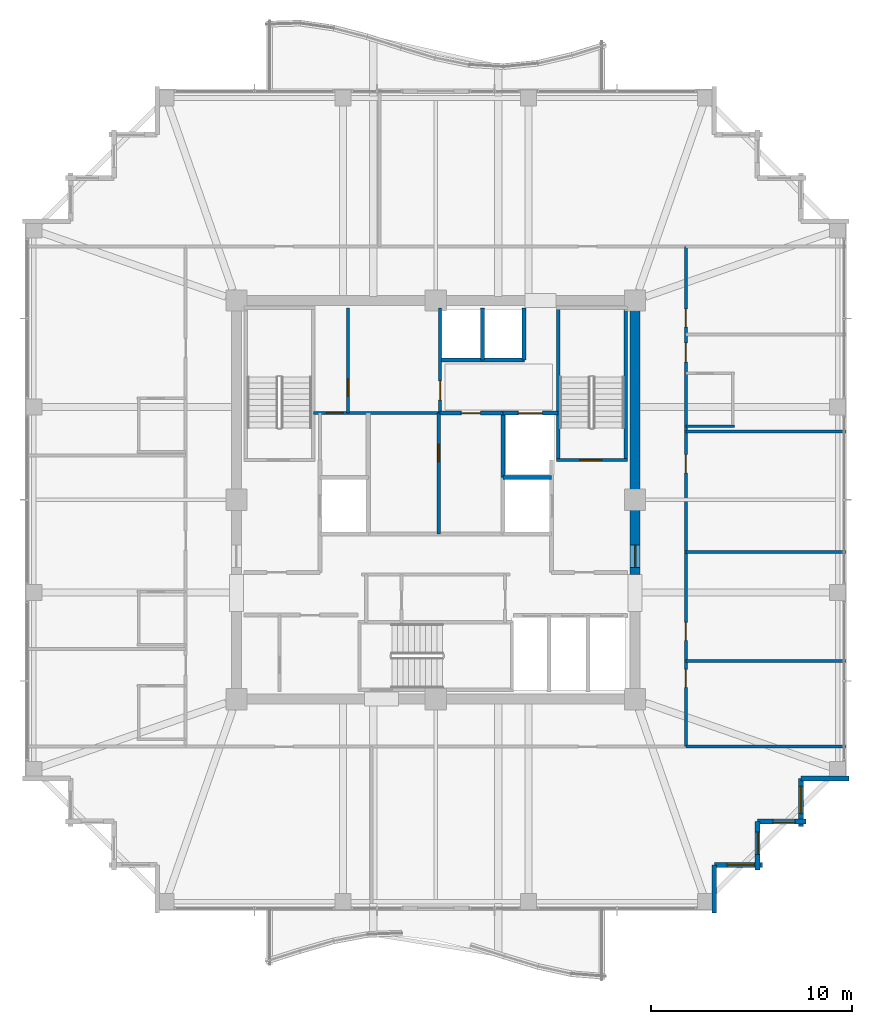
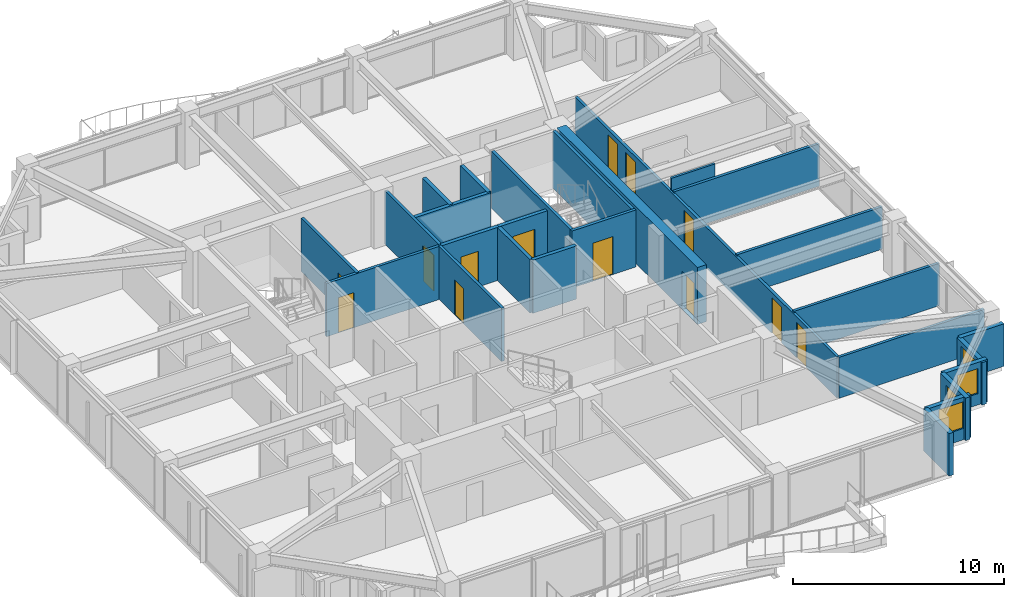
# One storey, part 32 of 36: 27 walls, 13 doors, 4 windows, 17 openings.
"""IFC4 building model written with IfcOpenShell, lengths in metres."""

from ifc_helpers import new_model, si_unit, direction, frame, frame_2d, origin, place, context, subcontext, project, spatial, rectangle, extrude, material, layer, layer_set, type_object, element, fill, save


model = new_model("IFC4")

# Units and contexts
model_context = context("Model", 3, precision=1e-05, world=origin(), true_north=direction((0.0, 1.0)))
body_context = subcontext(model_context, "Body", "Model", "MODEL_VIEW")
ifc_project = project(units=[si_unit("LENGTHUNIT", "METRE"), si_unit("AREAUNIT", "SQUARE_METRE"), si_unit("VOLUMEUNIT", "CUBIC_METRE"), si_unit("PLANEANGLEUNIT", "RADIAN"), si_unit("MASSUNIT", "GRAM", prefix="KILO")], contexts=[model_context])

# Site, building, storey
site_placement = place(None, origin())
site = spatial("IfcSite", under=ifc_project, at=site_placement, CompositionType="ELEMENT")
building_placement = place(site_placement, origin())
building = spatial("IfcBuilding", under=site, at=building_placement, Name="Kolvaren Belvedere", CompositionType="ELEMENT")
storey_placement = place(building_placement, frame((0.0, 0.0, 199.800048828125)))
storey = spatial("IfcBuildingStorey", under=building, at=storey_placement, Name="L58", CompositionType="ELEMENT", Elevation=199.800048828125)

# Wall, opening, door
ifc_material_1 = material(Name="Concrete C50/60", Category="concrete")
ifc_layer_1 = layer(ifc_material_1, 0.5)
ifc_layer_set_1 = layer_set([ifc_layer_1], Name="Concrete C50/60")
wall_type_1 = type_object("IfcWallType", Name="CW-CORE-500", PredefinedType="SHEAR", material=ifc_layer_set_1)
wall_1_placement = place(storey_placement, frame((9.89990234375, -3.699951171875, 0.0), z_axis=(0.0, 0.0, 1.0), x_axis=(0.0, 1.0, 0.0)))
wall_1 = element("IfcWall", 1, at=wall_1_placement, inside=storey, type_object=wall_type_1, Name="L58 East Core Shear Wall 2", PredefinedType="SHEAR", context=body_context, shape_type="SweptSolid", body=[
    extrude(rectangle(XDim=13.349853515625, YDim=0.5, at=frame_2d((6.6748046875, 0.0))), origin(), (0.0, 0.0, 1.0), 3.300048828125),
])
opening_1_placement = place(wall_1_placement, frame((0.35009765625, 0.0, 0.0)))
opening_1 = element("IfcOpeningElement", 2, at=opening_1_placement, cuts=wall_1, Name="Opening D-FD90", PredefinedType="OPENING", context=body_context, shape_type="SweptSolid", body=[
    extrude(rectangle(XDim=1.10009765625, YDim=2.199951171875, at=frame_2d((0.550048828125, 1.10009765625))), frame((0.0, 0.260009765625, 0.0), z_axis=(0.0, -1.0, 0.0), x_axis=(1.0, 0.0, 0.0)), (0.0, 0.0, 1.0), 0.52001953125),
])
ifc_material_2 = material(Name="Painted hollow stainless steel", Category="steel")
door_type_1 = type_object("IfcDoorType", Name="DR-FD90-1100", OperationType="NOTDEFINED", PredefinedType="DOOR", material=ifc_material_2)
door_1_placement = place(opening_1_placement, origin())
door_1 = element("IfcDoor", 3, at=door_1_placement, inside=storey, type_object=door_type_1, Name="L58 East Firefighting Lobby Fire Door", OperationType="SINGLE_SWING_RIGHT", OverallHeight=2.199951171875, OverallWidth=1.10009765625, PredefinedType="DOOR", context=body_context, shape_type="SweptSolid", body=[
    extrude(rectangle(XDim=1.10009765625, YDim=2.199951171875, at=frame_2d((0.550048828125, 1.10009765625))), frame((0.0, 0.02490234375, 0.0), z_axis=(0.0, -1.0, 0.0), x_axis=(1.0, 0.0, 0.0)), (0.0, 0.0, 1.0), 0.050048828125),
])
fill(opening_1, door_1)

ifc_material_3 = material(Name="Concrete C50/60", Category="concrete")
ifc_layer_2 = layer(ifc_material_3, 0.159912109375)
ifc_layer_set_2 = layer_set([ifc_layer_2], Name="Concrete C50/60")
wall_type_2 = type_object("IfcWallType", Name="CW-STAIR-160", PredefinedType="SHEAR", material=ifc_layer_set_2)
wall_2_placement = place(storey_placement, frame((6.0, 1.969970703125, 0.0), z_axis=(0.0, 0.0, 1.0), x_axis=(1.0, 0.0, 0.0)))
wall_2 = element("IfcWall", 4, at=wall_2_placement, inside=storey, type_object=wall_type_2, Name="L58 Stair ST-2 South Shear Wall", PredefinedType="SHEAR", context=body_context, shape_type="SweptSolid", body=[
    extrude(rectangle(XDim=3.52001953125, YDim=0.159912109375, at=frame_2d((1.760009765625, 0.0))), origin(), (0.0, 0.0, 1.0), 3.300048828125),
])
opening_2_placement = place(wall_2_placement, frame((1.14990234375, 0.0, 0.0)))
opening_2 = element("IfcOpeningElement", 5, at=opening_2_placement, cuts=wall_2, Name="Opening D-FD90", PredefinedType="OPENING", context=body_context, shape_type="SweptSolid", body=[
    extrude(rectangle(XDim=1.10009765625, YDim=2.199951171875, at=frame_2d((0.550048828125, 1.10009765625))), frame((0.0, 0.08984375, 0.0), z_axis=(0.0, -1.0, 0.0), x_axis=(1.0, 0.0, 0.0)), (0.0, 0.0, 1.0), 0.179931640625),
])
door_2_placement = place(opening_2_placement, origin())
door_2 = element("IfcDoor", 6, at=door_2_placement, inside=storey, type_object=door_type_1, Name="L58 Stair ST-2 Fire Door", OperationType="SINGLE_SWING_RIGHT", OverallHeight=2.199951171875, OverallWidth=1.10009765625, PredefinedType="DOOR", context=body_context, shape_type="SweptSolid", body=[
    extrude(rectangle(XDim=1.10009765625, YDim=2.199951171875, at=frame_2d((0.550048828125, 1.10009765625))), frame((0.0, 0.02490234375, 0.0), z_axis=(0.0, -1.0, 0.0), x_axis=(1.0, 0.0, 0.0)), (0.0, 0.0, 1.0), 0.050048828125),
])
fill(opening_2, door_2)

# Walls
for number, where, z_axis, x_axis, name in (
    (7, (6.080078125, 1.969970703125, 0.0), (0.0, 0.0, 1.0), (0.0, 1.0, 0.0), "L58 Stair ST-2 West Shear Wall"),
    (8, (9.429931640625, 1.969970703125, 0.0), (0.0, 0.0, 1.0), (0.0, 1.0, 0.0), "L58 Stair ST-2 East Shear Wall"),
):
    element("IfcWall", number, at=place(storey_placement, frame(where, z_axis=z_axis, x_axis=x_axis)), inside=storey, type_object=wall_type_2, Name=name, PredefinedType="SHEAR", context=body_context, shape_type="SweptSolid", body=[
        extrude(rectangle(XDim=7.56005859375, YDim=0.159912109375, at=frame_2d((3.780029296875, 0.0))), origin(), (0.0, 0.0, 1.0), 3.300048828125),
    ])

# Wall, openings, doors
ifc_material_4 = material(Name="Gypsum fire-rated partition assembly", Category="gypsum")
ifc_layer_3 = layer(ifc_material_4, 0.14990234375)
ifc_layer_set_3 = layer_set([ifc_layer_3], Name="Gypsum fire-rated partition assembly")
wall_type_3 = type_object("IfcWallType", Name="WL-CORR-150", PredefinedType="PARTITIONING", material=ifc_layer_set_3)
wall_3_placement = place(storey_placement, frame((12.419921875, -12.260009765625, 0.0), z_axis=(0.0, 0.0, 1.0), x_axis=(0.0, 1.0, 0.0)))
wall_3 = element("IfcWall", 9, at=wall_3_placement, inside=storey, type_object=wall_type_3, Name="L58 East Corridor Wall", PredefinedType="PARTITIONING", context=body_context, shape_type="SweptSolid", body=[
    extrude(rectangle(XDim=24.840087890625, YDim=0.14990234375, at=frame_2d((12.419921875, 0.0))), origin(), (0.0, 0.0, 1.0), 2.368896484375),
])
opening_3_placement = place(wall_3_placement, frame((2.9443359375, 0.0, 0.0)))
opening_3 = element("IfcOpeningElement", 10, at=opening_3_placement, cuts=wall_3, Name="Opening D-INT90", PredefinedType="OPENING", context=body_context, shape_type="SweptSolid", body=[
    extrude(rectangle(XDim=0.89990234375, YDim=2.06005859375, at=frame_2d((0.449951171875, 1.030029296875))), frame((0.0, 0.0849609375, 0.0), z_axis=(0.0, -1.0, 0.0), x_axis=(1.0, 0.0, 0.0)), (0.0, 0.0, 1.0), 0.169921875),
])
opening_4_placement = place(wall_3_placement, frame((5.279296875, 0.0, 0.0)))
opening_4 = element("IfcOpeningElement", 11, at=opening_4_placement, cuts=wall_3, Name="Opening D-INT90", PredefinedType="OPENING", context=body_context, shape_type="SweptSolid", body=[
    extrude(rectangle(XDim=0.89990234375, YDim=2.06005859375, at=frame_2d((0.449951171875, 1.030029296875))), frame((0.0, 0.0849609375, 0.0), z_axis=(0.0, -1.0, 0.0), x_axis=(1.0, 0.0, 0.0)), (0.0, 0.0, 1.0), 0.169921875),
])
opening_5_placement = place(wall_3_placement, frame((13.601806640625, 0.0, 0.0)))
opening_5 = element("IfcOpeningElement", 12, at=opening_5_placement, cuts=wall_3, Name="Opening D-INT90", PredefinedType="OPENING", context=body_context, shape_type="SweptSolid", body=[
    extrude(rectangle(XDim=0.89990234375, YDim=2.06005859375, at=frame_2d((0.449951171875, 1.030029296875))), frame((0.0, 0.0849609375, 0.0), z_axis=(0.0, -1.0, 0.0), x_axis=(1.0, 0.0, 0.0)), (0.0, 0.0, 1.0), 0.169921875),
])
opening_6_placement = place(wall_3_placement, frame((19.09765625, 0.0, 0.0)))
opening_6 = element("IfcOpeningElement", 13, at=opening_6_placement, cuts=wall_3, Name="Opening D-FD60", PredefinedType="OPENING", context=body_context, shape_type="SweptSolid", body=[
    extrude(rectangle(XDim=0.949951171875, YDim=2.06005859375, at=frame_2d((0.47509765625, 1.030029296875))), frame((0.0, 0.0849609375, 0.0), z_axis=(0.0, -1.0, 0.0), x_axis=(1.0, 0.0, 0.0)), (0.0, 0.0, 1.0), 0.169921875),
])
opening_7_placement = place(wall_3_placement, frame((20.835693359375, 0.0, 0.0)))
opening_7 = element("IfcOpeningElement", 14, at=opening_7_placement, cuts=wall_3, Name="Opening D-INT90", PredefinedType="OPENING", context=body_context, shape_type="SweptSolid", body=[
    extrude(rectangle(XDim=0.89990234375, YDim=2.06005859375, at=frame_2d((0.449951171875, 1.030029296875))), frame((0.0, 0.0849609375, 0.0), z_axis=(0.0, -1.0, 0.0), x_axis=(1.0, 0.0, 0.0)), (0.0, 0.0, 1.0), 0.169921875),
])
ifc_material_5 = material(Name="Acoustic white-oak fire door leaf", Category="timber")
door_type_2 = type_object("IfcDoorType", Name="DR-FD60-950", OperationType="NOTDEFINED", PredefinedType="DOOR", material=ifc_material_5)
door_3_placement = place(opening_6_placement, origin())
door_3 = element("IfcDoor", 15, at=door_3_placement, inside=storey, type_object=door_type_2, Name="L58 Botanical Hospitality Suite 5806 Entry Door", OperationType="SINGLE_SWING_RIGHT", OverallHeight=2.06005859375, OverallWidth=0.949951171875, PredefinedType="DOOR", context=body_context, shape_type="SweptSolid", body=[
    extrude(rectangle(XDim=0.949951171875, YDim=2.06005859375, at=frame_2d((0.47509765625, 1.030029296875))), frame((0.0, 0.02490234375, 0.0), z_axis=(0.0, -1.0, 0.0), x_axis=(1.0, 0.0, 0.0)), (0.0, 0.0, 1.0), 0.050048828125),
])
fill(opening_6, door_3)
ifc_material_6 = material(Name="Stained Pacific white oak", Category="timber")
door_type_3 = type_object("IfcDoorType", Name="DR-INT-900", OperationType="NOTDEFINED", PredefinedType="DOOR", material=ifc_material_6)
door_4_placement = place(opening_3_placement, origin())
door_4 = element("IfcDoor", 16, at=door_4_placement, inside=storey, type_object=door_type_3, Name="L58 Guest Tea & Espresso Kitchen 5803 Door", OperationType="SINGLE_SWING_RIGHT", OverallHeight=2.06005859375, OverallWidth=0.89990234375, PredefinedType="DOOR", context=body_context, shape_type="SweptSolid", body=[
    extrude(rectangle(XDim=0.89990234375, YDim=2.06005859375, at=frame_2d((0.449951171875, 1.030029296875))), frame((0.0, 0.02490234375, 0.0), z_axis=(0.0, -1.0, 0.0), x_axis=(1.0, 0.0, 0.0)), (0.0, 0.0, 1.0), 0.050048828125),
])
fill(opening_3, door_4)
door_5_placement = place(opening_4_placement, origin())
door_5 = element("IfcDoor", 17, at=door_5_placement, inside=storey, type_object=door_type_3, Name="L58 Private Hospitality Meeting Room 5804 Door", OperationType="SINGLE_SWING_LEFT", OverallHeight=2.06005859375, OverallWidth=0.89990234375, PredefinedType="DOOR", context=body_context, shape_type="SweptSolid", body=[
    extrude(rectangle(XDim=0.89990234375, YDim=2.06005859375, at=frame_2d((0.449951171875, 1.030029296875))), frame((0.0, 0.02490234375, 0.0), z_axis=(0.0, -1.0, 0.0), x_axis=(1.0, 0.0, 0.0)), (0.0, 0.0, 1.0), 0.050048828125),
])
fill(opening_4, door_5)
door_6_placement = place(opening_5_placement, origin())
door_6 = element("IfcDoor", 18, at=door_6_placement, inside=storey, type_object=door_type_3, Name="L58 Botanical Reading Salon 5805 Door", OperationType="SINGLE_SWING_RIGHT", OverallHeight=2.06005859375, OverallWidth=0.89990234375, PredefinedType="DOOR", context=body_context, shape_type="SweptSolid", body=[
    extrude(rectangle(XDim=0.89990234375, YDim=2.06005859375, at=frame_2d((0.449951171875, 1.030029296875))), frame((0.0, 0.02490234375, 0.0), z_axis=(0.0, -1.0, 0.0), x_axis=(1.0, 0.0, 0.0)), (0.0, 0.0, 1.0), 0.050048828125),
])
fill(opening_5, door_6)
door_7_placement = place(opening_7_placement, origin())
door_7 = element("IfcDoor", 19, at=door_7_placement, inside=storey, type_object=door_type_3, Name="L58 Lounge 5807 Door", OperationType="SINGLE_SWING_LEFT", OverallHeight=2.06005859375, OverallWidth=0.89990234375, PredefinedType="DOOR", context=body_context, shape_type="SweptSolid", body=[
    extrude(rectangle(XDim=0.89990234375, YDim=2.06005859375, at=frame_2d((0.449951171875, 1.030029296875))), frame((0.0, 0.02490234375, 0.0), z_axis=(0.0, -1.0, 0.0), x_axis=(1.0, 0.0, 0.0)), (0.0, 0.0, 1.0), 0.050048828125),
])
fill(opening_7, door_7)

# Wall
ifc_material_7 = material(Name="Insulated pale-metal facade wall assembly", Category="aluminium")
ifc_layer_4 = layer(ifc_material_7, 0.239990234375)
ifc_layer_set_4 = layer_set([ifc_layer_4], Name="Insulated pale-metal facade wall assembly")
wall_type_4 = type_object("IfcWallType", Name="WL-EXT-240", PredefinedType="STANDARD", material=ifc_layer_set_4)
wall_4_placement = place(storey_placement, frame((13.830078125, -18.1298828125, 0.0), z_axis=(0.0, 0.0, 1.0), x_axis=(0.0, -1.0, 0.0)))
element("IfcWall", 20, at=wall_4_placement, inside=storey, type_object=wall_type_4, Name="L58 Serrated Corner Facade Wall 2", PredefinedType="STANDARD", context=body_context, shape_type="SweptSolid", body=[
    extrude(rectangle(XDim=2.39013671875, YDim=0.239990234375, at=frame_2d((1.195068359375, 0.0))), origin(), (0.0, 0.0, 1.0), 2.462890625),
])

# Wall, opening, window
wall_5_placement = place(storey_placement, frame((16.219970703125, -18.1298828125, 0.0), z_axis=(0.0, 0.0, 1.0), x_axis=(-1.0, 0.0, 0.0)))
wall_5 = element("IfcWall", 21, at=wall_5_placement, inside=storey, type_object=wall_type_4, Name="L58 Serrated Corner Facade Wall 3", PredefinedType="STANDARD", context=body_context, shape_type="SweptSolid", body=[
    extrude(rectangle(XDim=2.389892578125, YDim=0.239990234375, at=frame_2d((1.19482421875, 0.0))), origin(), (0.0, 0.0, 1.0), 2.462890625),
])
opening_8_placement = place(wall_5_placement, frame((0.39990234375, 0.0, 0.64990234375)))
opening_8 = element("IfcOpeningElement", 22, at=opening_8_placement, cuts=wall_5, Name="Opening W-1350", PredefinedType="OPENING", context=body_context, shape_type="SweptSolid", body=[
    extrude(rectangle(XDim=1.35009765625, YDim=1.550048828125, at=frame_2d((0.675048828125, 0.77490234375))), frame((0.0, 0.1298828125, 0.0), z_axis=(0.0, -1.0, 0.0), x_axis=(1.0, 0.0, 0.0)), (0.0, 0.0, 1.0), 0.260009765625),
])
ifc_material_8 = material(Name="Low-iron triple insulated glass", Category="glass")
window_type_1 = type_object("IfcWindowType", Name="WN-CORN-1350", PartitioningType="SINGLE_PANEL", PredefinedType="WINDOW", material=ifc_material_8)
window_1_placement = place(opening_8_placement, origin())
window_1 = element("IfcWindow", 23, at=window_1_placement, inside=storey, type_object=window_type_1, Name="L58 Serrated Corner Vision Window 3", OverallHeight=1.550048828125, OverallWidth=1.35009765625, PartitioningType="SINGLE_PANEL", PredefinedType="WINDOW", context=body_context, shape_type="SweptSolid", body=[
    extrude(rectangle(XDim=1.35009765625, YDim=1.550048828125, at=frame_2d((0.675048828125, 0.77490234375))), frame((0.0, 0.030029296875, 0.0), z_axis=(0.0, -1.0, 0.0), x_axis=(1.0, 0.0, 0.0)), (0.0, 0.0, 1.0), 0.06005859375),
])
fill(opening_8, window_1)

wall_6_placement = place(storey_placement, frame((15.97998046875, -15.97998046875, 0.0), z_axis=(0.0, 0.0, 1.0), x_axis=(0.0, -1.0, 0.0)))
wall_6 = element("IfcWall", 24, at=wall_6_placement, inside=storey, type_object=wall_type_4, Name="L58 Serrated Corner Facade Wall 4", PredefinedType="STANDARD", context=body_context, shape_type="SweptSolid", body=[
    extrude(rectangle(XDim=2.39013671875, YDim=0.239990234375, at=frame_2d((1.195068359375, 0.0))), origin(), (0.0, 0.0, 1.0), 2.462890625),
])
opening_9_placement = place(wall_6_placement, frame((0.52490234375, 0.0, 0.64990234375)))
opening_9 = element("IfcOpeningElement", 25, at=opening_9_placement, cuts=wall_6, Name="Opening W-1100", PredefinedType="OPENING", context=body_context, shape_type="SweptSolid", body=[
    extrude(rectangle(XDim=1.10009765625, YDim=1.449951171875, at=frame_2d((0.550048828125, 0.72509765625))), frame((0.0, 0.1298828125, 0.0), z_axis=(0.0, -1.0, 0.0), x_axis=(1.0, 0.0, 0.0)), (0.0, 0.0, 1.0), 0.260009765625),
])
ifc_material_9 = material(Name="Low-iron triple insulated glass", Category="glass")
window_type_2 = type_object("IfcWindowType", Name="WN-CORN-1100", PartitioningType="SINGLE_PANEL", PredefinedType="WINDOW", material=ifc_material_9)
window_2_placement = place(opening_9_placement, origin())
window_2 = element("IfcWindow", 26, at=window_2_placement, inside=storey, type_object=window_type_2, Name="L58 Serrated Corner Vision Window 4", OverallHeight=1.449951171875, OverallWidth=1.10009765625, PartitioningType="SINGLE_PANEL", PredefinedType="WINDOW", context=body_context, shape_type="SweptSolid", body=[
    extrude(rectangle(XDim=1.10009765625, YDim=1.449951171875, at=frame_2d((0.550048828125, 0.72509765625))), frame((0.0, 0.030029296875, 0.0), z_axis=(0.0, -1.0, 0.0), x_axis=(1.0, 0.0, 0.0)), (0.0, 0.0, 1.0), 0.06005859375),
])
fill(opening_9, window_2)

wall_7_placement = place(storey_placement, frame((18.3701171875, -15.97998046875, 0.0), z_axis=(0.0, 0.0, 1.0), x_axis=(-1.0, 0.0, 0.0)))
wall_7 = element("IfcWall", 27, at=wall_7_placement, inside=storey, type_object=wall_type_4, Name="L58 Serrated Corner Facade Wall 5", PredefinedType="STANDARD", context=body_context, shape_type="SweptSolid", body=[
    extrude(rectangle(XDim=2.39013671875, YDim=0.239990234375, at=frame_2d((1.195068359375, 0.0))), origin(), (0.0, 0.0, 1.0), 2.462890625),
])
opening_10_placement = place(wall_7_placement, frame((0.52490234375, 0.0, 0.64990234375)))
opening_10 = element("IfcOpeningElement", 28, at=opening_10_placement, cuts=wall_7, Name="Opening W-1100", PredefinedType="OPENING", context=body_context, shape_type="SweptSolid", body=[
    extrude(rectangle(XDim=1.10009765625, YDim=1.449951171875, at=frame_2d((0.550048828125, 0.72509765625))), frame((0.0, 0.1298828125, 0.0), z_axis=(0.0, -1.0, 0.0), x_axis=(1.0, 0.0, 0.0)), (0.0, 0.0, 1.0), 0.260009765625),
])
window_3_placement = place(opening_10_placement, origin())
window_3 = element("IfcWindow", 29, at=window_3_placement, inside=storey, type_object=window_type_2, Name="L58 Serrated Corner Vision Window 5", OverallHeight=1.449951171875, OverallWidth=1.10009765625, PartitioningType="SINGLE_PANEL", PredefinedType="WINDOW", context=body_context, shape_type="SweptSolid", body=[
    extrude(rectangle(XDim=1.10009765625, YDim=1.449951171875, at=frame_2d((0.550048828125, 0.72509765625))), frame((0.0, 0.030029296875, 0.0), z_axis=(0.0, -1.0, 0.0), x_axis=(1.0, 0.0, 0.0)), (0.0, 0.0, 1.0), 0.06005859375),
])
fill(opening_10, window_3)

wall_8_placement = place(storey_placement, frame((18.1298828125, -13.830078125, 0.0), z_axis=(0.0, 0.0, 1.0), x_axis=(0.0, -1.0, 0.0)))
wall_8 = element("IfcWall", 30, at=wall_8_placement, inside=storey, type_object=wall_type_4, Name="L58 Serrated Corner Facade Wall 6", PredefinedType="STANDARD", context=body_context, shape_type="SweptSolid", body=[
    extrude(rectangle(XDim=2.389892578125, YDim=0.239990234375, at=frame_2d((1.19482421875, 0.0))), origin(), (0.0, 0.0, 1.0), 2.462890625),
])
opening_11_placement = place(wall_8_placement, frame((0.39990234375, 0.0, 0.64990234375)))
opening_11 = element("IfcOpeningElement", 31, at=opening_11_placement, cuts=wall_8, Name="Opening W-1350", PredefinedType="OPENING", context=body_context, shape_type="SweptSolid", body=[
    extrude(rectangle(XDim=1.35009765625, YDim=1.550048828125, at=frame_2d((0.675048828125, 0.77490234375))), frame((0.0, 0.1298828125, 0.0), z_axis=(0.0, -1.0, 0.0), x_axis=(1.0, 0.0, 0.0)), (0.0, 0.0, 1.0), 0.260009765625),
])
window_4_placement = place(opening_11_placement, origin())
window_4 = element("IfcWindow", 32, at=window_4_placement, inside=storey, type_object=window_type_1, Name="L58 Serrated Corner Vision Window 6", OverallHeight=1.550048828125, OverallWidth=1.35009765625, PartitioningType="SINGLE_PANEL", PredefinedType="WINDOW", context=body_context, shape_type="SweptSolid", body=[
    extrude(rectangle(XDim=1.35009765625, YDim=1.550048828125, at=frame_2d((0.675048828125, 0.77490234375))), frame((0.0, 0.030029296875, 0.0), z_axis=(0.0, -1.0, 0.0), x_axis=(1.0, 0.0, 0.0)), (0.0, 0.0, 1.0), 0.06005859375),
])
fill(opening_11, window_4)

# Wall
wall_9_placement = place(storey_placement, frame((20.52001953125, -13.830078125, 0.0), z_axis=(0.0, 0.0, 1.0), x_axis=(-1.0, 0.0, 0.0)))
element("IfcWall", 33, at=wall_9_placement, inside=storey, type_object=wall_type_4, Name="L58 Serrated Corner Facade Wall 7", PredefinedType="STANDARD", context=body_context, shape_type="SweptSolid", body=[
    extrude(rectangle(XDim=2.39013671875, YDim=0.239990234375, at=frame_2d((1.195068359375, 0.0))), origin(), (0.0, 0.0, 1.0), 2.462890625),
])

# Wall, opening, door
ifc_material_10 = material(Name="Gypsum acoustic partition assembly", Category="gypsum")
ifc_layer_5 = layer(ifc_material_10, 0.14990234375)
ifc_layer_set_5 = layer_set([ifc_layer_5], Name="Gypsum acoustic partition assembly")
wall_type_5 = type_object("IfcWallType", Name="WL-PART-150", PredefinedType="PARTITIONING", material=ifc_layer_set_5)
wall_10_placement = place(storey_placement, frame((-6.080078125, 4.300048828125, 0.0), z_axis=(0.0, 0.0, 1.0), x_axis=(1.0, 0.0, 0.0)))
wall_10 = element("IfcWall", 34, at=wall_10_placement, inside=storey, type_object=wall_type_5, Name="L58 Reclaimed Salon South Wall", PredefinedType="PARTITIONING", context=body_context, shape_type="SweptSolid", body=[
    extrude(rectangle(XDim=6.300048828125, YDim=0.14990234375, at=frame_2d((3.14990234375, 0.0))), origin(), (0.0, 0.0, 1.0), 3.079833984375),
])
opening_12_placement = place(wall_10_placement, frame((0.64990234375, 0.0, 0.0)))
opening_12 = element("IfcOpeningElement", 35, at=opening_12_placement, cuts=wall_10, Name="Opening D-INT85", PredefinedType="OPENING", context=body_context, shape_type="SweptSolid", body=[
    extrude(rectangle(XDim=0.85009765625, YDim=2.030029296875, at=frame_2d((0.425048828125, 1.01513671875))), frame((0.0, 0.0849609375, 0.0), z_axis=(0.0, -1.0, 0.0), x_axis=(1.0, 0.0, 0.0)), (0.0, 0.0, 1.0), 0.169921875),
])
ifc_material_11 = material(Name="Stained Pacific white oak", Category="timber")
door_type_4 = type_object("IfcDoorType", Name="DR-INT-850", OperationType="NOTDEFINED", PredefinedType="DOOR", material=ifc_material_11)
door_8_placement = place(opening_12_placement, origin())
door_8 = element("IfcDoor", 36, at=door_8_placement, inside=storey, type_object=door_type_4, Name="L58 NW Core Store Door", OperationType="SINGLE_SWING_RIGHT", OverallHeight=2.030029296875, OverallWidth=0.85009765625, PredefinedType="DOOR", context=body_context, shape_type="SweptSolid", body=[
    extrude(rectangle(XDim=0.85009765625, YDim=2.030029296875, at=frame_2d((0.425048828125, 1.01513671875))), frame((0.0, 0.02490234375, 0.0), z_axis=(0.0, -1.0, 0.0), x_axis=(1.0, 0.0, 0.0)), (0.0, 0.0, 1.0), 0.050048828125),
])
fill(opening_12, door_8)

wall_11_placement = place(storey_placement, frame((0.219970703125, 4.300048828125, 0.0), z_axis=(0.0, 0.0, 1.0), x_axis=(0.0, 1.0, 0.0)))
wall_11 = element("IfcWall", 37, at=wall_11_placement, inside=storey, type_object=wall_type_5, Name="L58 Reclaimed Salon East Wall", PredefinedType="PARTITIONING", context=body_context, shape_type="SweptSolid", body=[
    extrude(rectangle(XDim=5.219970703125, YDim=0.14990234375, at=frame_2d((2.60986328125, 0.0))), origin(), (0.0, 0.0, 1.0), 3.079833984375),
])
opening_13_placement = place(wall_11_placement, frame((0.64990234375, 0.0, 0.0)))
opening_13 = element("IfcOpeningElement", 38, at=opening_13_placement, cuts=wall_11, Name="Opening D-INT95", PredefinedType="OPENING", context=body_context, shape_type="SweptSolid", body=[
    extrude(rectangle(XDim=0.949951171875, YDim=2.06005859375, at=frame_2d((0.47509765625, 1.030029296875))), frame((0.0, 0.0849609375, 0.0), z_axis=(0.0, -1.0, 0.0), x_axis=(1.0, 0.0, 0.0)), (0.0, 0.0, 1.0), 0.169921875),
])
ifc_material_12 = material(Name="Stained Pacific white oak", Category="timber")
door_type_5 = type_object("IfcDoorType", Name="DR-INT-950", OperationType="NOTDEFINED", PredefinedType="DOOR", material=ifc_material_12)
door_9_placement = place(opening_13_placement, origin())
door_9 = element("IfcDoor", 39, at=door_9_placement, inside=storey, type_object=door_type_5, Name="L58 Art Salon Door", OperationType="SINGLE_SWING_LEFT", OverallHeight=2.06005859375, OverallWidth=0.949951171875, PredefinedType="DOOR", context=body_context, shape_type="SweptSolid", body=[
    extrude(rectangle(XDim=0.949951171875, YDim=2.06005859375, at=frame_2d((0.47509765625, 1.030029296875))), frame((0.0, 0.02490234375, 0.0), z_axis=(0.0, -1.0, 0.0), x_axis=(1.0, 0.0, 0.0)), (0.0, 0.0, 1.0), 0.050048828125),
])
fill(opening_13, door_9)

wall_12_placement = place(storey_placement, frame((-4.35009765625, 4.300048828125, 0.0), z_axis=(0.0, 0.0, 1.0), x_axis=(0.0, 1.0, 0.0)))
wall_12 = element("IfcWall", 40, at=wall_12_placement, inside=storey, type_object=wall_type_5, Name="L58 Reclaimed Archive Divider", PredefinedType="PARTITIONING", context=body_context, shape_type="SweptSolid", body=[
    extrude(rectangle(XDim=5.219970703125, YDim=0.14990234375, at=frame_2d((2.60986328125, 0.0))), origin(), (0.0, 0.0, 1.0), 3.079833984375),
])
opening_14_placement = place(wall_12_placement, frame((0.85009765625, 0.0, 0.0)))
opening_14 = element("IfcOpeningElement", 41, at=opening_14_placement, cuts=wall_12, Name="Opening D-INT85", PredefinedType="OPENING", context=body_context, shape_type="SweptSolid", body=[
    extrude(rectangle(XDim=0.85009765625, YDim=2.030029296875, at=frame_2d((0.425048828125, 1.01513671875))), frame((0.0, 0.0849609375, 0.0), z_axis=(0.0, -1.0, 0.0), x_axis=(1.0, 0.0, 0.0)), (0.0, 0.0, 1.0), 0.169921875),
])
door_10_placement = place(opening_14_placement, origin())
door_10 = element("IfcDoor", 42, at=door_10_placement, inside=storey, type_object=door_type_4, Name="L58 Archive Store Door", OperationType="SINGLE_SWING_RIGHT", OverallHeight=2.030029296875, OverallWidth=0.85009765625, PredefinedType="DOOR", context=body_context, shape_type="SweptSolid", body=[
    extrude(rectangle(XDim=0.85009765625, YDim=2.030029296875, at=frame_2d((0.425048828125, 1.01513671875))), frame((0.0, 0.02490234375, 0.0), z_axis=(0.0, -1.0, 0.0), x_axis=(1.0, 0.0, 0.0)), (0.0, 0.0, 1.0), 0.050048828125),
])
fill(opening_14, door_10)

wall_13_placement = place(storey_placement, frame((0.14990234375, -1.699951171875, 0.0), z_axis=(0.0, 0.0, 1.0), x_axis=(0.0, 1.0, 0.0)))
wall_13 = element("IfcWall", 43, at=wall_13_placement, inside=storey, type_object=wall_type_5, Name="L58 Central Core V-Divider", PredefinedType="PARTITIONING", context=body_context, shape_type="SweptSolid", body=[
    extrude(rectangle(XDim=6.0, YDim=0.14990234375, at=frame_2d((3.0, 0.0))), origin(), (0.0, 0.0, 1.0), 3.079833984375),
])
opening_15_placement = place(wall_13_placement, frame((3.60009765625, 0.0, 0.0)))
opening_15 = element("IfcOpeningElement", 44, at=opening_15_placement, cuts=wall_13, Name="Opening D-INT85", PredefinedType="OPENING", context=body_context, shape_type="SweptSolid", body=[
    extrude(rectangle(XDim=0.85009765625, YDim=2.030029296875, at=frame_2d((0.425048828125, 1.01513671875))), frame((0.0, 0.0849609375, 0.0), z_axis=(0.0, -1.0, 0.0), x_axis=(1.0, 0.0, 0.0)), (0.0, 0.0, 1.0), 0.169921875),
])
door_11_placement = place(opening_15_placement, origin())
door_11 = element("IfcDoor", 45, at=door_11_placement, inside=storey, type_object=door_type_4, Name="L58 Central Linen Door", OperationType="SINGLE_SWING_RIGHT", OverallHeight=2.030029296875, OverallWidth=0.85009765625, PredefinedType="DOOR", context=body_context, shape_type="SweptSolid", body=[
    extrude(rectangle(XDim=0.85009765625, YDim=2.030029296875, at=frame_2d((0.425048828125, 1.01513671875))), frame((0.0, 0.02490234375, 0.0), z_axis=(0.0, -1.0, 0.0), x_axis=(1.0, 0.0, 0.0)), (0.0, 0.0, 1.0), 0.050048828125),
])
fill(opening_15, door_11)

# Walls
wall_14_placement = place(storey_placement, frame((12.419921875, -12.260009765625, 0.0), z_axis=(0.0, 0.0, 1.0), x_axis=(1.0, 0.0, 0.0)))
element("IfcWall", 46, at=wall_14_placement, inside=storey, type_object=wall_type_5, Name="L58 Wing Divider PW-L58-QSE", PredefinedType="PARTITIONING", context=body_context, shape_type="SweptSolid", body=[
    extrude(rectangle(XDim=7.9599609375, YDim=0.14990234375, at=frame_2d((3.97998046875, 0.0))), origin(), (0.0, 0.0, 1.0), 2.368896484375),
])
for number, where, z_axis, x_axis, name in (
    (47, (12.419921875, -8.0, 0.0), (0.0, 0.0, 1.0), (1.0, 0.0, 0.0), "L58 East Suite Demising Wall 1"),
    (48, (12.419921875, -2.60009765625, 0.0), (0.0, 0.0, 1.0), (1.0, 0.0, 0.0), "L58 East Suite Demising Wall 2"),
    (49, (12.419921875, 3.39990234375, 0.0), (0.0, 0.0, 1.0), (1.0, 0.0, 0.0), "L58 East Suite Demising Wall 3"),
):
    element("IfcWall", number, at=place(storey_placement, frame(where, z_axis=z_axis, x_axis=x_axis)), inside=storey, type_object=wall_type_5, Name=name, PredefinedType="PARTITIONING", context=body_context, shape_type="SweptSolid", body=[
        extrude(rectangle(XDim=7.9599609375, YDim=0.14990234375, at=frame_2d((3.97998046875, 0.0))), origin(), (0.0, 0.0, 1.0), 2.452880859375),
    ])
ifc_material_13 = material(Name="Concrete C50/60", Category="concrete")
ifc_layer_6 = layer(ifc_material_13, 0.199951171875)
ifc_layer_set_6 = layer_set([ifc_layer_6], Name="Concrete C50/60")
wall_type_6 = type_object("IfcWallType", Name="WL-SHAFT-200", PredefinedType="SOLIDWALL", material=ifc_layer_set_6)
wall_15_placement = place(storey_placement, frame((3.35009765625, 1.10009765625, 0.0), z_axis=(0.0, 0.0, 1.0), x_axis=(1.0, 0.0, 0.0)))
element("IfcWall", 50, at=wall_15_placement, inside=storey, type_object=wall_type_6, Name="L58 FSAE FS2 North Wall", PredefinedType="SOLIDWALL", context=body_context, shape_type="SweptSolid", body=[
    extrude(rectangle(XDim=2.39990234375, YDim=0.199951171875, at=frame_2d((1.199951171875, 0.0))), origin(), (0.0, 0.0, 1.0), 3.079833984375),
])

# Wall, opening, door
wall_16_placement = place(storey_placement, frame((3.35009765625, 4.300048828125, 0.0), z_axis=(0.0, 0.0, 1.0), x_axis=(1.0, 0.0, 0.0)))
wall_16 = element("IfcWall", 51, at=wall_16_placement, inside=storey, type_object=wall_type_6, Name="L58 Service Lift SV1 Front Wall", PredefinedType="SOLIDWALL", context=body_context, shape_type="SweptSolid", body=[
    extrude(rectangle(XDim=2.72998046875, YDim=0.199951171875, at=frame_2d((1.364990234375, 0.0))), origin(), (0.0, 0.0, 1.0), 3.079833984375),
])
opening_16_placement = place(wall_16_placement, frame((0.75, 0.0, 0.0)))
opening_16 = element("IfcOpeningElement", 52, at=opening_16_placement, cuts=wall_16, Name="Opening LD-12", PredefinedType="OPENING", context=body_context, shape_type="SweptSolid", body=[
    extrude(rectangle(XDim=1.199951171875, YDim=2.25, at=frame_2d((0.60009765625, 1.125))), frame((0.0, 0.10986328125, 0.0), z_axis=(0.0, -1.0, 0.0), x_axis=(1.0, 0.0, 0.0)), (0.0, 0.0, 1.0), 0.219970703125),
])
ifc_material_14 = material(Name="Brushed stainless steel", Category="steel")
door_type_6 = type_object("IfcDoorType", Name="DR-LIFT-1200", OperationType="DOUBLE_DOOR_SLIDING", PredefinedType="DOOR", material=ifc_material_14)
door_12_placement = place(opening_16_placement, origin())
door_12 = element("IfcDoor", 53, at=door_12_placement, inside=storey, type_object=door_type_6, Name="L58 Service Lift SV1 Landing Door", OperationType="DOUBLE_DOOR_SLIDING", OverallHeight=2.25, OverallWidth=1.199951171875, PredefinedType="DOOR", context=body_context, shape_type="SweptSolid", body=[
    extrude(rectangle(XDim=1.199951171875, YDim=2.25, at=frame_2d((0.60009765625, 1.125))), frame((0.0, 0.02490234375, 0.0), z_axis=(0.0, -1.0, 0.0), x_axis=(1.0, 0.0, 0.0)), (0.0, 0.0, 1.0), 0.050048828125),
])
fill(opening_16, door_12)

# Walls
wall_17_placement = place(storey_placement, frame((0.219970703125, 6.949951171875, 0.0), z_axis=(0.0, 0.0, 1.0), x_axis=(1.0, 0.0, 0.0)))
element("IfcWall", 54, at=wall_17_placement, inside=storey, type_object=wall_type_6, Name="L58 Express Shuttle Hoistway Wall", PredefinedType="SOLIDWALL", context=body_context, shape_type="SweptSolid", body=[
    extrude(rectangle(XDim=4.179931640625, YDim=0.199951171875, at=frame_2d((2.08984375, 0.0))), origin(), (0.0, 0.0, 1.0), 3.079833984375),
])
for number, where, z_axis, x_axis, name in (
    (55, (4.3798828125, 6.949951171875, 0.0), (0.0, 0.0, 1.0), (0.0, 1.0, 0.0), "L58 Express Shuttle East Wall"),
    (56, (2.31005859375, 6.949951171875, 0.0), (0.0, 0.0, 1.0), (0.0, 1.0, 0.0), "L58 Express Shuttle Divider"),
):
    element("IfcWall", number, at=place(storey_placement, frame(where, z_axis=z_axis, x_axis=x_axis)), inside=storey, type_object=wall_type_6, Name=name, PredefinedType="SOLIDWALL", context=body_context, shape_type="SweptSolid", body=[
        extrude(rectangle(XDim=2.570068359375, YDim=0.199951171875, at=frame_2d((1.28515625, 0.0))), origin(), (0.0, 0.0, 1.0), 3.079833984375),
    ])

# Wall, opening, door
wall_18_placement = place(storey_placement, frame((0.219970703125, 4.300048828125, 0.0), z_axis=(0.0, 0.0, 1.0), x_axis=(1.0, 0.0, 0.0)))
wall_18 = element("IfcWall", 57, at=wall_18_placement, inside=storey, type_object=wall_type_6, Name="L58 Central Core Room North Wall", PredefinedType="SOLIDWALL", context=body_context, shape_type="SweptSolid", body=[
    extrude(rectangle(XDim=3.130126953125, YDim=0.199951171875, at=frame_2d((1.56494140625, 0.0))), origin(), (0.0, 0.0, 1.0), 3.079833984375),
])
opening_17_placement = place(wall_18_placement, frame((1.050048828125, 0.0, 0.0)))
opening_17 = element("IfcOpeningElement", 58, at=opening_17_placement, cuts=wall_18, Name="Opening D-FD60", PredefinedType="OPENING", context=body_context, shape_type="SweptSolid", body=[
    extrude(rectangle(XDim=0.949951171875, YDim=2.06005859375, at=frame_2d((0.47509765625, 1.030029296875))), frame((0.0, 0.10986328125, 0.0), z_axis=(0.0, -1.0, 0.0), x_axis=(1.0, 0.0, 0.0)), (0.0, 0.0, 1.0), 0.219970703125),
])
door_13_placement = place(opening_17_placement, origin())
door_13 = element("IfcDoor", 59, at=door_13_placement, inside=storey, type_object=door_type_2, Name="L58 Central Core Controls Door", OperationType="SINGLE_SWING_LEFT", OverallHeight=2.06005859375, OverallWidth=0.949951171875, PredefinedType="DOOR", context=body_context, shape_type="SweptSolid", body=[
    extrude(rectangle(XDim=0.949951171875, YDim=2.06005859375, at=frame_2d((0.47509765625, 1.030029296875))), frame((0.0, 0.02490234375, 0.0), z_axis=(0.0, -1.0, 0.0), x_axis=(1.0, 0.0, 0.0)), (0.0, 0.0, 1.0), 0.050048828125),
])
fill(opening_17, door_13)

# Walls
wall_19_placement = place(storey_placement, frame((3.35009765625, 1.10009765625, 0.0), z_axis=(0.0, 0.0, 1.0), x_axis=(0.0, 1.0, 0.0)))
element("IfcWall", 60, at=wall_19_placement, inside=storey, type_object=wall_type_6, Name="L58 Central Core Room East Wall", PredefinedType="SOLIDWALL", context=body_context, shape_type="SweptSolid", body=[
    extrude(rectangle(XDim=3.199951171875, YDim=0.199951171875, at=frame_2d((1.60009765625, 0.0))), origin(), (0.0, 0.0, 1.0), 3.079833984375),
])
ifc_material_15 = material(Name="Moisture-resistant gypsum partition", Category="gypsum")
ifc_layer_7 = layer(ifc_material_15, 0.125)
ifc_layer_set_7 = layer_set([ifc_layer_7], Name="Moisture-resistant gypsum partition")
wall_type_7 = type_object("IfcWallType", Name="WL-WET-125", PredefinedType="PARTITIONING", material=ifc_layer_set_7)
wall_20_placement = place(storey_placement, frame((12.43505859375, 3.64404296875, 0.0), z_axis=(0.0, 0.0, 1.0), x_axis=(1.0, 0.0, 0.0)))
element("IfcWall", 61, at=wall_20_placement, inside=storey, type_object=wall_type_7, Name="L58 Bathroom Partition PW-L58-BTH-6-S", PredefinedType="PARTITIONING", context=body_context, shape_type="SweptSolid", body=[
    extrude(rectangle(XDim=2.389892578125, YDim=0.125, at=frame_2d((1.19482421875, 0.0))), origin(), (0.0, 0.0, 1.0), 3.079833984375),
])

save(model, "model.ifc")
